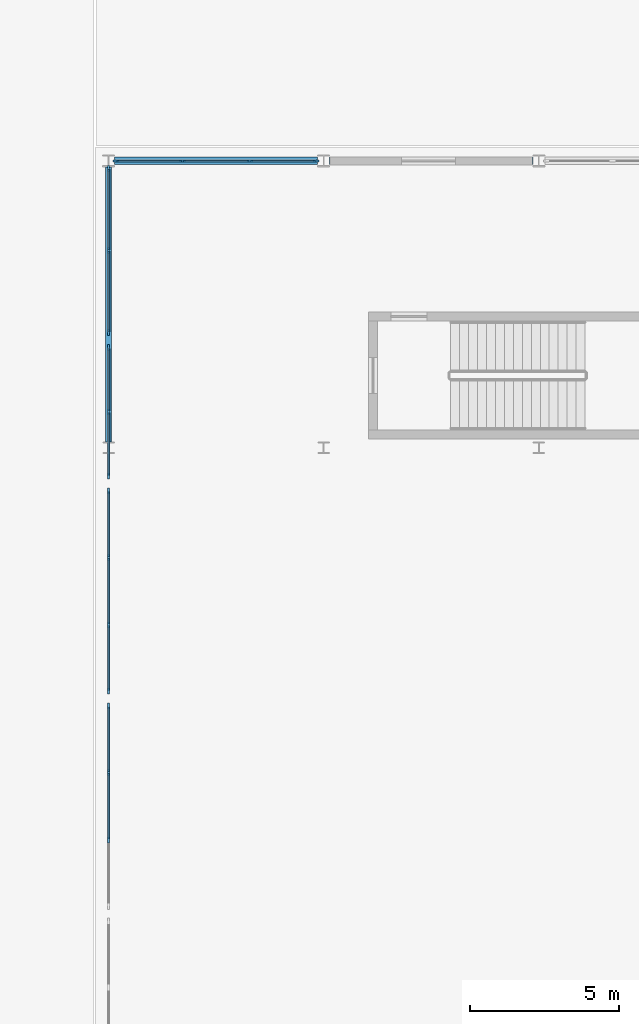
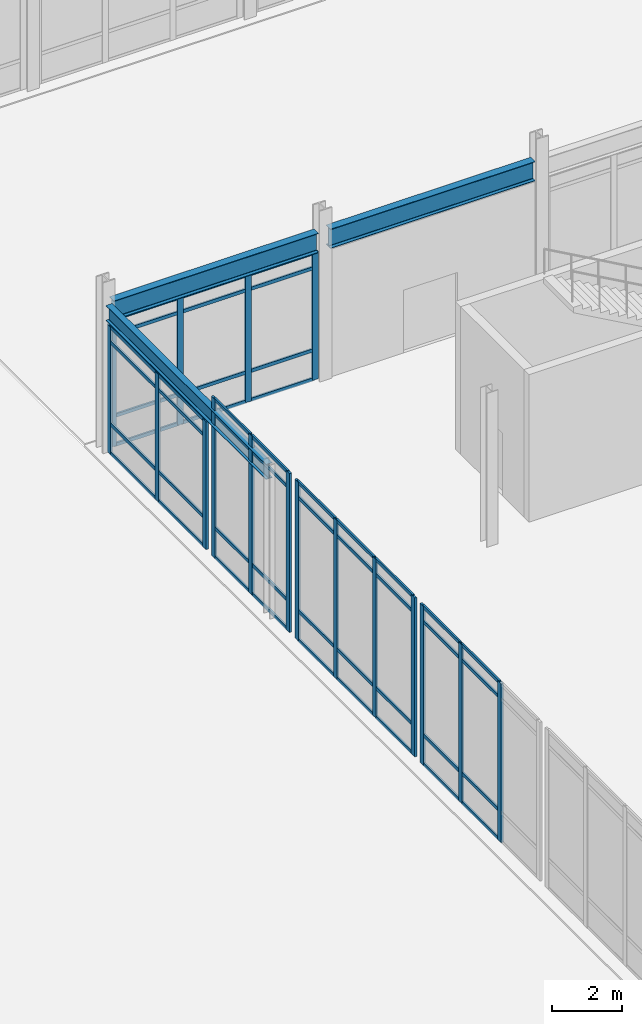
# One storey, part 22 of 104: 65 members, 3 beams, 5 elements without a shape of their own.
"""IFC4 building model written with IfcOpenShell, lengths in metres."""

from ifc_helpers import new_model, si_unit, direction, frame, origin, origin_2d, place, context, subcontext, project, spatial, rectangle, i_section, extrude, material, material_profile, profile_set, type_object, element, aggregate, save


model = new_model("IFC4")

# Units and contexts
model_context = context("Model", 3, precision=1e-05, world=origin(), true_north=direction((0.0, 1.0)))
body_context = subcontext(model_context, "Body", "Model", "MODEL_VIEW")
ifc_project = project(units=[si_unit("LENGTHUNIT", "METRE"), si_unit("AREAUNIT", "SQUARE_METRE"), si_unit("VOLUMEUNIT", "CUBIC_METRE"), si_unit("PLANEANGLEUNIT", "RADIAN"), si_unit("MASSUNIT", "GRAM", prefix="KILO")], contexts=[model_context])

# Site, building, storey
site_placement = place(None, origin())
site = spatial("IfcSite", under=ifc_project, at=site_placement, CompositionType="ELEMENT")
building_placement = place(site_placement, origin())
building = spatial("IfcBuilding", under=site, at=building_placement, Name="Vaelcorin Mobility Hub", CompositionType="ELEMENT")
storey_placement = place(building_placement, origin())
storey = spatial("IfcBuildingStorey", under=building, at=storey_placement, Name="L00", CompositionType="ELEMENT", Elevation=0.0)

# Beams
ifc_material_1 = material(Name="Steel ASTM A992 Grade 50", Category="steel")
ifc_material_profile_1 = material_profile(ifc_material_1, i_section(OverallWidth=0.2099609375, OverallDepth=0.535888671875, WebThickness=0.010986328125, FlangeThickness=0.017333984375, FilletRadius=0.013916015625, at=origin_2d()), Name="W21X68")
ifc_profile_set_1 = profile_set([ifc_material_profile_1], Name="Steel ASTM A992 Grade 50")
beam_type_1 = type_object("IfcBeamType", Name="BM-W21X68", PredefinedType="SPANDREL", material=ifc_profile_set_1)
beam_placement = place(storey_placement, frame((36.0, 50.583984375, 4.912109375), z_axis=(0.0, 1.0, 0.0), x_axis=(-1.0, 0.0, 0.0)))
element("IfcBeam", 1, at=beam_placement, inside=storey, type_object=beam_type_1, Name="L00 Beam V1-L00-GY-01-01", PredefinedType="SPANDREL", context=body_context, shape_type="SweptSolid", body=[
    extrude(i_section(OverallWidth=0.2099609375, OverallDepth=0.535888671875, WebThickness=0.010986328125, FlangeThickness=0.017333984375, FilletRadius=0.013916015625, at=origin_2d()), origin(), (0.0, 0.0, 1.0), 9.215087890625),
])
ifc_material_profile_2 = material_profile(ifc_material_1, i_section(OverallWidth=0.25390625, OverallDepth=0.68310546875, WebThickness=0.012451171875, FlangeThickness=0.018798828125, FilletRadius=0.01611328125, at=origin_2d()), Name="W27X94")
ifc_profile_set_2 = profile_set([ifc_material_profile_2], Name="Steel ASTM A992 Grade 50")
beam_type_2 = type_object("IfcBeamType", Name="BM-W27X94", PredefinedType="BEAM", material=ifc_profile_set_2)
for number, where, z_axis, x_axis, name in (
    (2, (36.199951171875, 60.0, 4.837890625), (1.0, 0.0, 0.0), (0.0, 1.0, 0.0), "L00 Beam V1-L00-GX-02-01"),
    (3, (43.39990234375, 60.0, 4.837890625), (1.0, 0.0, 0.0), (0.0, 1.0, 0.0), "L00 Beam V1-L00-GX-02-02"),
):
    element("IfcBeam", number, at=place(storey_placement, frame(where, z_axis=z_axis, x_axis=x_axis)), inside=storey, type_object=beam_type_2, Name=name, PredefinedType="BEAM", context=body_context, shape_type="SweptSolid", body=[
        extrude(i_section(OverallWidth=0.25390625, OverallDepth=0.68310546875, WebThickness=0.012451171875, FlangeThickness=0.018798828125, FilletRadius=0.01611328125, at=origin_2d()), origin(), (0.0, 0.0, 1.0), 6.800048828125),
    ])

# Curtain wall, members
ifc_material_2 = material(Name="Anodised aluminium 6063-T6", Category="aluminium")
curtain_wall_type_1 = type_object("IfcCurtainWallType", Name="CW-CONC-B", PredefinedType="NOTDEFINED", material=ifc_material_2)
curtain_wall_1_placement = place(storey_placement, origin())
curtain_wall_1 = element("IfcCurtainWall", 4, at=curtain_wall_1_placement, inside=storey, type_object=curtain_wall_type_1, Name="L00 Curtain Wall CW-V1-N-01", PredefinedType="NOTDEFINED")
ifc_material_profile_3 = material_profile(ifc_material_2, rectangle(XDim=0.070068359375, YDim=0.199951171875, at=origin_2d()), Name="ALU-M70X200")
ifc_profile_set_3 = profile_set([ifc_material_profile_3], Name="Anodised aluminium 6063-T6")
member_type_1 = type_object("IfcMemberType", Name="CW-MULL-200", PredefinedType="MULLION", material=ifc_profile_set_3)
member_1_placement = place(storey_placement, frame((36.25, 60.0, 0.0), z_axis=(0.0, 0.0, 1.0), x_axis=(0.0, 1.0, 0.0)))
member_1 = element("IfcMember", 5, at=member_1_placement, type_object=member_type_1, Name="CW2 mullion 1", PredefinedType="MULLION", context=body_context, shape_type="SweptSolid", body=[
    extrude(rectangle(XDim=0.070068359375, YDim=0.199951171875, at=origin_2d()), origin(), (0.0, 0.0, 1.0), 4.48193359375),
])
member_2_placement = place(storey_placement, frame((38.473388671875, 60.0, 0.0), z_axis=(0.0, 0.0, 1.0), x_axis=(0.0, 1.0, 0.0)))
member_2 = element("IfcMember", 6, at=member_2_placement, type_object=member_type_1, Name="CW2 mullion 2", PredefinedType="MULLION", context=body_context, shape_type="SweptSolid", body=[
    extrude(rectangle(XDim=0.070068359375, YDim=0.199951171875, at=origin_2d()), origin(), (0.0, 0.0, 1.0), 4.48193359375),
])
member_3_placement = place(storey_placement, frame((40.7265625, 60.0, 0.0), z_axis=(0.0, 0.0, 1.0), x_axis=(0.0, 1.0, 0.0)))
member_3 = element("IfcMember", 7, at=member_3_placement, type_object=member_type_1, Name="CW2 mullion 3", PredefinedType="MULLION", context=body_context, shape_type="SweptSolid", body=[
    extrude(rectangle(XDim=0.070068359375, YDim=0.199951171875, at=origin_2d()), origin(), (0.0, 0.0, 1.0), 4.48193359375),
])
member_4_placement = place(storey_placement, frame((42.949951171875, 60.0, 0.0), z_axis=(0.0, 0.0, 1.0), x_axis=(0.0, 1.0, 0.0)))
member_4 = element("IfcMember", 8, at=member_4_placement, type_object=member_type_1, Name="CW2 mullion 4", PredefinedType="MULLION", context=body_context, shape_type="SweptSolid", body=[
    extrude(rectangle(XDim=0.070068359375, YDim=0.199951171875, at=origin_2d()), origin(), (0.0, 0.0, 1.0), 4.48193359375),
])

curtain_wall_type_2 = type_object("IfcCurtainWallType", Name="CW-CONC-A", PredefinedType="NOTDEFINED", material=ifc_material_2)
curtain_wall_2_placement = place(storey_placement, origin())
curtain_wall_2 = element("IfcCurtainWall", 9, at=curtain_wall_2_placement, inside=storey, type_object=curtain_wall_type_2, Name="L00 Curtain Wall CW-V1-W-05", PredefinedType="NOTDEFINED")
member_5_placement = place(storey_placement, frame((36.0, 37.2734375, 0.0), z_axis=(0.0, 0.0, 1.0), x_axis=(-1.0, 0.0, 0.0)))
member_5 = element("IfcMember", 10, at=member_5_placement, type_object=member_type_1, Name="CW1 mullion 2", PredefinedType="MULLION", context=body_context, shape_type="SweptSolid", body=[
    extrude(rectangle(XDim=0.070068359375, YDim=0.199951171875, at=origin_2d()), origin(), (0.0, 0.0, 1.0), 5.580078125),
])
member_6_placement = place(storey_placement, frame((36.0, 39.526611328125, 0.0), z_axis=(0.0, 0.0, 1.0), x_axis=(-1.0, 0.0, 0.0)))
member_6 = element("IfcMember", 11, at=member_6_placement, type_object=member_type_1, Name="CW1 mullion 3", PredefinedType="MULLION", context=body_context, shape_type="SweptSolid", body=[
    extrude(rectangle(XDim=0.070068359375, YDim=0.199951171875, at=origin_2d()), origin(), (0.0, 0.0, 1.0), 5.580078125),
])
member_7_placement = place(storey_placement, frame((36.0, 41.75, 0.0), z_axis=(0.0, 0.0, 1.0), x_axis=(-1.0, 0.0, 0.0)))
member_7 = element("IfcMember", 12, at=member_7_placement, type_object=member_type_1, Name="CW1 mullion 4", PredefinedType="MULLION", context=body_context, shape_type="SweptSolid", body=[
    extrude(rectangle(XDim=0.070068359375, YDim=0.199951171875, at=origin_2d()), origin(), (0.0, 0.0, 1.0), 5.580078125),
])

curtain_wall_3_placement = place(storey_placement, origin())
curtain_wall_3 = element("IfcCurtainWall", 13, at=curtain_wall_3_placement, inside=storey, type_object=curtain_wall_type_2, Name="L00 Curtain Wall CW-V1-W-06", PredefinedType="NOTDEFINED")
member_8_placement = place(storey_placement, frame((36.0, 42.25, 0.0), z_axis=(0.0, 0.0, 1.0), x_axis=(-1.0, 0.0, 0.0)))
member_8 = element("IfcMember", 14, at=member_8_placement, type_object=member_type_1, Name="CW1 mullion 1", PredefinedType="MULLION", context=body_context, shape_type="SweptSolid", body=[
    extrude(rectangle(XDim=0.070068359375, YDim=0.199951171875, at=origin_2d()), origin(), (0.0, 0.0, 1.0), 5.580078125),
])
member_9_placement = place(storey_placement, frame((36.0, 44.473388671875, 0.0), z_axis=(0.0, 0.0, 1.0), x_axis=(-1.0, 0.0, 0.0)))
member_9 = element("IfcMember", 15, at=member_9_placement, type_object=member_type_1, Name="CW1 mullion 2", PredefinedType="MULLION", context=body_context, shape_type="SweptSolid", body=[
    extrude(rectangle(XDim=0.070068359375, YDim=0.199951171875, at=origin_2d()), origin(), (0.0, 0.0, 1.0), 5.580078125),
])
member_10_placement = place(storey_placement, frame((36.0, 46.7265625, 0.0), z_axis=(0.0, 0.0, 1.0), x_axis=(-1.0, 0.0, 0.0)))
member_10 = element("IfcMember", 16, at=member_10_placement, type_object=member_type_1, Name="CW1 mullion 3", PredefinedType="MULLION", context=body_context, shape_type="SweptSolid", body=[
    extrude(rectangle(XDim=0.070068359375, YDim=0.199951171875, at=origin_2d()), origin(), (0.0, 0.0, 1.0), 5.580078125),
])
member_11_placement = place(storey_placement, frame((36.0, 48.949951171875, 0.0), z_axis=(0.0, 0.0, 1.0), x_axis=(-1.0, 0.0, 0.0)))
member_11 = element("IfcMember", 17, at=member_11_placement, type_object=member_type_1, Name="CW1 mullion 4", PredefinedType="MULLION", context=body_context, shape_type="SweptSolid", body=[
    extrude(rectangle(XDim=0.070068359375, YDim=0.199951171875, at=origin_2d()), origin(), (0.0, 0.0, 1.0), 5.580078125),
])

curtain_wall_4_placement = place(storey_placement, origin())
curtain_wall_4 = element("IfcCurtainWall", 18, at=curtain_wall_4_placement, inside=storey, type_object=curtain_wall_type_2, Name="L00 Curtain Wall CW-V1-W-07", PredefinedType="NOTDEFINED")
member_12_placement = place(storey_placement, frame((36.0, 49.449951171875, 0.0), z_axis=(0.0, 0.0, 1.0), x_axis=(-1.0, 0.0, 0.0)))
member_12 = element("IfcMember", 19, at=member_12_placement, type_object=member_type_1, Name="CW1 mullion 1", PredefinedType="MULLION", context=body_context, shape_type="SweptSolid", body=[
    extrude(rectangle(XDim=0.070068359375, YDim=0.199951171875, at=origin_2d()), origin(), (0.0, 0.0, 1.0), 5.580078125),
])
member_13_placement = place(storey_placement, frame((36.0, 51.60009765625, 0.0), z_axis=(0.0, 0.0, 1.0), x_axis=(-1.0, 0.0, 0.0)))
member_13 = element("IfcMember", 20, at=member_13_placement, type_object=member_type_1, Name="CW1 mullion 2", PredefinedType="MULLION", context=body_context, shape_type="SweptSolid", body=[
    extrude(rectangle(XDim=0.070068359375, YDim=0.199951171875, at=origin_2d()), origin(), (0.0, 0.0, 1.0), 5.580078125),
])
member_14_placement = place(storey_placement, frame((36.0, 53.75, 0.0), z_axis=(0.0, 0.0, 1.0), x_axis=(-1.0, 0.0, 0.0)))
member_14 = element("IfcMember", 21, at=member_14_placement, type_object=member_type_1, Name="CW1 mullion 3", PredefinedType="MULLION", context=body_context, shape_type="SweptSolid", body=[
    extrude(rectangle(XDim=0.070068359375, YDim=0.199951171875, at=origin_2d()), origin(), (0.0, 0.0, 1.0), 5.580078125),
])

curtain_wall_5_placement = place(storey_placement, origin())
curtain_wall_5 = element("IfcCurtainWall", 22, at=curtain_wall_5_placement, inside=storey, type_object=curtain_wall_type_2, Name="L00 Curtain Wall CW-V1-W-08", PredefinedType="NOTDEFINED")
member_15_placement = place(storey_placement, frame((36.0, 54.25, 0.0), z_axis=(0.0, 0.0, 1.0), x_axis=(-1.0, 0.0, 0.0)))
member_15 = element("IfcMember", 23, at=member_15_placement, type_object=member_type_1, Name="CW1 mullion 1", PredefinedType="MULLION", context=body_context, shape_type="SweptSolid", body=[
    extrude(rectangle(XDim=0.070068359375, YDim=0.199951171875, at=origin_2d()), origin(), (0.0, 0.0, 1.0), 4.48193359375),
])
member_16_placement = place(storey_placement, frame((36.0, 57.0, 0.0), z_axis=(0.0, 0.0, 1.0), x_axis=(-1.0, 0.0, 0.0)))
member_16 = element("IfcMember", 24, at=member_16_placement, type_object=member_type_1, Name="CW1 mullion 2", PredefinedType="MULLION", context=body_context, shape_type="SweptSolid", body=[
    extrude(rectangle(XDim=0.070068359375, YDim=0.199951171875, at=origin_2d()), origin(), (0.0, 0.0, 1.0), 4.48193359375),
])
member_17_placement = place(storey_placement, frame((36.0, 59.75, 0.0), z_axis=(0.0, 0.0, 1.0), x_axis=(-1.0, 0.0, 0.0)))
member_17 = element("IfcMember", 25, at=member_17_placement, type_object=member_type_1, Name="CW1 mullion 3", PredefinedType="MULLION", context=body_context, shape_type="SweptSolid", body=[
    extrude(rectangle(XDim=0.070068359375, YDim=0.199951171875, at=origin_2d()), origin(), (0.0, 0.0, 1.0), 4.48193359375),
])

# Member
ifc_material_profile_4 = material_profile(ifc_material_2, rectangle(XDim=0.06005859375, YDim=0.1201171875, at=origin_2d()), Name="ALU-T60X120")
ifc_profile_set_4 = profile_set([ifc_material_profile_4], Name="Anodised aluminium 6063-T6")
member_type_2 = type_object("IfcMemberType", Name="CW-TRAN-140", PredefinedType="USERDEFINED", material=ifc_profile_set_4)
member_18_placement = place(storey_placement, frame((36.280029296875, 60.0, 0.030029296875), z_axis=(1.0, 0.0, 0.0), x_axis=(0.0, 1.0, 0.0)))
member_18 = element("IfcMember", 26, at=member_18_placement, type_object=member_type_2, Name="CW2 transom 1.1", ObjectType="TRANSOM", PredefinedType="USERDEFINED", context=body_context, shape_type="SweptSolid", body=[
    extrude(rectangle(XDim=0.06005859375, YDim=0.1201171875, at=origin_2d()), origin(), (0.0, 0.0, 1.0), 2.163330078125),
])

member_19_placement = place(storey_placement, frame((36.280029296875, 60.0, 1.050048828125), z_axis=(1.0, 0.0, 0.0), x_axis=(0.0, 1.0, 0.0)))
member_19 = element("IfcMember", 27, at=member_19_placement, type_object=member_type_2, Name="CW2 transom 1.2", ObjectType="TRANSOM", PredefinedType="USERDEFINED", context=body_context, shape_type="SweptSolid", body=[
    extrude(rectangle(XDim=0.06005859375, YDim=0.1201171875, at=origin_2d()), origin(), (0.0, 0.0, 1.0), 2.163330078125),
])

member_20_placement = place(storey_placement, frame((36.280029296875, 60.0, 3.931884765625), z_axis=(1.0, 0.0, 0.0), x_axis=(0.0, 1.0, 0.0)))
member_20 = element("IfcMember", 28, at=member_20_placement, type_object=member_type_2, Name="CW2 transom 1.3", ObjectType="TRANSOM", PredefinedType="USERDEFINED", context=body_context, shape_type="SweptSolid", body=[
    extrude(rectangle(XDim=0.06005859375, YDim=0.1201171875, at=origin_2d()), origin(), (0.0, 0.0, 1.0), 2.163330078125),
])

member_21_placement = place(storey_placement, frame((36.280029296875, 60.0, 4.451904296875), z_axis=(1.0, 0.0, 0.0), x_axis=(0.0, 1.0, 0.0)))
member_21 = element("IfcMember", 29, at=member_21_placement, type_object=member_type_2, Name="CW2 transom 1.4", ObjectType="TRANSOM", PredefinedType="USERDEFINED", context=body_context, shape_type="SweptSolid", body=[
    extrude(rectangle(XDim=0.06005859375, YDim=0.1201171875, at=origin_2d()), origin(), (0.0, 0.0, 1.0), 2.163330078125),
])

member_22_placement = place(storey_placement, frame((38.50341796875, 60.0, 0.030029296875), z_axis=(1.0, 0.0, 0.0), x_axis=(0.0, 1.0, 0.0)))
member_22 = element("IfcMember", 30, at=member_22_placement, type_object=member_type_2, Name="CW2 transom 2.1", ObjectType="TRANSOM", PredefinedType="USERDEFINED", context=body_context, shape_type="SweptSolid", body=[
    extrude(rectangle(XDim=0.06005859375, YDim=0.1201171875, at=origin_2d()), origin(), (0.0, 0.0, 1.0), 2.193359375),
])

member_23_placement = place(storey_placement, frame((38.50341796875, 60.0, 1.050048828125), z_axis=(1.0, 0.0, 0.0), x_axis=(0.0, 1.0, 0.0)))
member_23 = element("IfcMember", 31, at=member_23_placement, type_object=member_type_2, Name="CW2 transom 2.2", ObjectType="TRANSOM", PredefinedType="USERDEFINED", context=body_context, shape_type="SweptSolid", body=[
    extrude(rectangle(XDim=0.06005859375, YDim=0.1201171875, at=origin_2d()), origin(), (0.0, 0.0, 1.0), 2.193359375),
])

member_24_placement = place(storey_placement, frame((38.50341796875, 60.0, 3.931884765625), z_axis=(1.0, 0.0, 0.0), x_axis=(0.0, 1.0, 0.0)))
member_24 = element("IfcMember", 32, at=member_24_placement, type_object=member_type_2, Name="CW2 transom 2.3", ObjectType="TRANSOM", PredefinedType="USERDEFINED", context=body_context, shape_type="SweptSolid", body=[
    extrude(rectangle(XDim=0.06005859375, YDim=0.1201171875, at=origin_2d()), origin(), (0.0, 0.0, 1.0), 2.193359375),
])

member_25_placement = place(storey_placement, frame((38.50341796875, 60.0, 4.451904296875), z_axis=(1.0, 0.0, 0.0), x_axis=(0.0, 1.0, 0.0)))
member_25 = element("IfcMember", 33, at=member_25_placement, type_object=member_type_2, Name="CW2 transom 2.4", ObjectType="TRANSOM", PredefinedType="USERDEFINED", context=body_context, shape_type="SweptSolid", body=[
    extrude(rectangle(XDim=0.06005859375, YDim=0.1201171875, at=origin_2d()), origin(), (0.0, 0.0, 1.0), 2.193359375),
])

member_26_placement = place(storey_placement, frame((40.756591796875, 60.0, 0.030029296875), z_axis=(1.0, 0.0, 0.0), x_axis=(0.0, 1.0, 0.0)))
member_26 = element("IfcMember", 34, at=member_26_placement, type_object=member_type_2, Name="CW2 transom 3.1", ObjectType="TRANSOM", PredefinedType="USERDEFINED", context=body_context, shape_type="SweptSolid", body=[
    extrude(rectangle(XDim=0.06005859375, YDim=0.1201171875, at=origin_2d()), origin(), (0.0, 0.0, 1.0), 2.163330078125),
])

member_27_placement = place(storey_placement, frame((40.756591796875, 60.0, 1.050048828125), z_axis=(1.0, 0.0, 0.0), x_axis=(0.0, 1.0, 0.0)))
member_27 = element("IfcMember", 35, at=member_27_placement, type_object=member_type_2, Name="CW2 transom 3.2", ObjectType="TRANSOM", PredefinedType="USERDEFINED", context=body_context, shape_type="SweptSolid", body=[
    extrude(rectangle(XDim=0.06005859375, YDim=0.1201171875, at=origin_2d()), origin(), (0.0, 0.0, 1.0), 2.163330078125),
])

member_28_placement = place(storey_placement, frame((40.756591796875, 60.0, 3.931884765625), z_axis=(1.0, 0.0, 0.0), x_axis=(0.0, 1.0, 0.0)))
member_28 = element("IfcMember", 36, at=member_28_placement, type_object=member_type_2, Name="CW2 transom 3.3", ObjectType="TRANSOM", PredefinedType="USERDEFINED", context=body_context, shape_type="SweptSolid", body=[
    extrude(rectangle(XDim=0.06005859375, YDim=0.1201171875, at=origin_2d()), origin(), (0.0, 0.0, 1.0), 2.163330078125),
])

member_29_placement = place(storey_placement, frame((40.756591796875, 60.0, 4.451904296875), z_axis=(1.0, 0.0, 0.0), x_axis=(0.0, 1.0, 0.0)))
member_29 = element("IfcMember", 37, at=member_29_placement, type_object=member_type_2, Name="CW2 transom 3.4", ObjectType="TRANSOM", PredefinedType="USERDEFINED", context=body_context, shape_type="SweptSolid", body=[
    extrude(rectangle(XDim=0.06005859375, YDim=0.1201171875, at=origin_2d()), origin(), (0.0, 0.0, 1.0), 2.163330078125),
])

aggregate(curtain_wall_1, [member_1, member_2, member_3, member_4, member_18, member_19, member_20, member_21, member_22, member_23, member_24, member_25, member_26, member_27, member_28, member_29])

member_30_placement = place(storey_placement, frame((36.0, 37.30322265625, 0.030029296875), z_axis=(0.0, 1.0, 0.0), x_axis=(-1.0, 0.0, 0.0)))
member_30 = element("IfcMember", 38, at=member_30_placement, type_object=member_type_2, Name="CW1 transom 2.1", ObjectType="TRANSOM", PredefinedType="USERDEFINED", context=body_context, shape_type="SweptSolid", body=[
    extrude(rectangle(XDim=0.06005859375, YDim=0.1201171875, at=origin_2d()), origin(), (0.0, 0.0, 1.0), 2.193359375),
])

member_31_placement = place(storey_placement, frame((36.0, 37.30322265625, 1.050048828125), z_axis=(0.0, 1.0, 0.0), x_axis=(-1.0, 0.0, 0.0)))
member_31 = element("IfcMember", 39, at=member_31_placement, type_object=member_type_2, Name="CW1 transom 2.2", ObjectType="TRANSOM", PredefinedType="USERDEFINED", context=body_context, shape_type="SweptSolid", body=[
    extrude(rectangle(XDim=0.06005859375, YDim=0.1201171875, at=origin_2d()), origin(), (0.0, 0.0, 1.0), 2.193359375),
])

member_32_placement = place(storey_placement, frame((36.0, 37.30322265625, 5.030029296875), z_axis=(0.0, 1.0, 0.0), x_axis=(-1.0, 0.0, 0.0)))
member_32 = element("IfcMember", 40, at=member_32_placement, type_object=member_type_2, Name="CW1 transom 2.3", ObjectType="TRANSOM", PredefinedType="USERDEFINED", context=body_context, shape_type="SweptSolid", body=[
    extrude(rectangle(XDim=0.06005859375, YDim=0.1201171875, at=origin_2d()), origin(), (0.0, 0.0, 1.0), 2.193359375),
])

member_33_placement = place(storey_placement, frame((36.0, 37.30322265625, 5.550048828125), z_axis=(0.0, 1.0, 0.0), x_axis=(-1.0, 0.0, 0.0)))
member_33 = element("IfcMember", 41, at=member_33_placement, type_object=member_type_2, Name="CW1 transom 2.4", ObjectType="TRANSOM", PredefinedType="USERDEFINED", context=body_context, shape_type="SweptSolid", body=[
    extrude(rectangle(XDim=0.06005859375, YDim=0.1201171875, at=origin_2d()), origin(), (0.0, 0.0, 1.0), 2.193359375),
])

member_34_placement = place(storey_placement, frame((36.0, 39.556640625, 0.030029296875), z_axis=(0.0, 1.0, 0.0), x_axis=(-1.0, 0.0, 0.0)))
member_34 = element("IfcMember", 42, at=member_34_placement, type_object=member_type_2, Name="CW1 transom 3.1", ObjectType="TRANSOM", PredefinedType="USERDEFINED", context=body_context, shape_type="SweptSolid", body=[
    extrude(rectangle(XDim=0.06005859375, YDim=0.1201171875, at=origin_2d()), origin(), (0.0, 0.0, 1.0), 2.163330078125),
])

member_35_placement = place(storey_placement, frame((36.0, 39.556640625, 1.050048828125), z_axis=(0.0, 1.0, 0.0), x_axis=(-1.0, 0.0, 0.0)))
member_35 = element("IfcMember", 43, at=member_35_placement, type_object=member_type_2, Name="CW1 transom 3.2", ObjectType="TRANSOM", PredefinedType="USERDEFINED", context=body_context, shape_type="SweptSolid", body=[
    extrude(rectangle(XDim=0.06005859375, YDim=0.1201171875, at=origin_2d()), origin(), (0.0, 0.0, 1.0), 2.163330078125),
])

member_36_placement = place(storey_placement, frame((36.0, 39.556640625, 5.030029296875), z_axis=(0.0, 1.0, 0.0), x_axis=(-1.0, 0.0, 0.0)))
member_36 = element("IfcMember", 44, at=member_36_placement, type_object=member_type_2, Name="CW1 transom 3.3", ObjectType="TRANSOM", PredefinedType="USERDEFINED", context=body_context, shape_type="SweptSolid", body=[
    extrude(rectangle(XDim=0.06005859375, YDim=0.1201171875, at=origin_2d()), origin(), (0.0, 0.0, 1.0), 2.163330078125),
])

member_37_placement = place(storey_placement, frame((36.0, 39.556640625, 5.550048828125), z_axis=(0.0, 1.0, 0.0), x_axis=(-1.0, 0.0, 0.0)))
member_37 = element("IfcMember", 45, at=member_37_placement, type_object=member_type_2, Name="CW1 transom 3.4", ObjectType="TRANSOM", PredefinedType="USERDEFINED", context=body_context, shape_type="SweptSolid", body=[
    extrude(rectangle(XDim=0.06005859375, YDim=0.1201171875, at=origin_2d()), origin(), (0.0, 0.0, 1.0), 2.163330078125),
])

aggregate(curtain_wall_2, [member_5, member_6, member_7, member_30, member_31, member_32, member_33, member_34, member_35, member_36, member_37])

member_38_placement = place(storey_placement, frame((36.0, 42.280029296875, 0.030029296875), z_axis=(0.0, 1.0, 0.0), x_axis=(-1.0, 0.0, 0.0)))
member_38 = element("IfcMember", 46, at=member_38_placement, type_object=member_type_2, Name="CW1 transom 1.1", ObjectType="TRANSOM", PredefinedType="USERDEFINED", context=body_context, shape_type="SweptSolid", body=[
    extrude(rectangle(XDim=0.06005859375, YDim=0.1201171875, at=origin_2d()), origin(), (0.0, 0.0, 1.0), 2.163330078125),
])

member_39_placement = place(storey_placement, frame((36.0, 42.280029296875, 1.050048828125), z_axis=(0.0, 1.0, 0.0), x_axis=(-1.0, 0.0, 0.0)))
member_39 = element("IfcMember", 47, at=member_39_placement, type_object=member_type_2, Name="CW1 transom 1.2", ObjectType="TRANSOM", PredefinedType="USERDEFINED", context=body_context, shape_type="SweptSolid", body=[
    extrude(rectangle(XDim=0.06005859375, YDim=0.1201171875, at=origin_2d()), origin(), (0.0, 0.0, 1.0), 2.163330078125),
])

member_40_placement = place(storey_placement, frame((36.0, 42.280029296875, 5.030029296875), z_axis=(0.0, 1.0, 0.0), x_axis=(-1.0, 0.0, 0.0)))
member_40 = element("IfcMember", 48, at=member_40_placement, type_object=member_type_2, Name="CW1 transom 1.3", ObjectType="TRANSOM", PredefinedType="USERDEFINED", context=body_context, shape_type="SweptSolid", body=[
    extrude(rectangle(XDim=0.06005859375, YDim=0.1201171875, at=origin_2d()), origin(), (0.0, 0.0, 1.0), 2.163330078125),
])

member_41_placement = place(storey_placement, frame((36.0, 42.280029296875, 5.550048828125), z_axis=(0.0, 1.0, 0.0), x_axis=(-1.0, 0.0, 0.0)))
member_41 = element("IfcMember", 49, at=member_41_placement, type_object=member_type_2, Name="CW1 transom 1.4", ObjectType="TRANSOM", PredefinedType="USERDEFINED", context=body_context, shape_type="SweptSolid", body=[
    extrude(rectangle(XDim=0.06005859375, YDim=0.1201171875, at=origin_2d()), origin(), (0.0, 0.0, 1.0), 2.163330078125),
])

member_42_placement = place(storey_placement, frame((36.0, 44.50341796875, 0.030029296875), z_axis=(0.0, 1.0, 0.0), x_axis=(-1.0, 0.0, 0.0)))
member_42 = element("IfcMember", 50, at=member_42_placement, type_object=member_type_2, Name="CW1 transom 2.1", ObjectType="TRANSOM", PredefinedType="USERDEFINED", context=body_context, shape_type="SweptSolid", body=[
    extrude(rectangle(XDim=0.06005859375, YDim=0.1201171875, at=origin_2d()), origin(), (0.0, 0.0, 1.0), 2.193359375),
])

member_43_placement = place(storey_placement, frame((36.0, 44.50341796875, 1.050048828125), z_axis=(0.0, 1.0, 0.0), x_axis=(-1.0, 0.0, 0.0)))
member_43 = element("IfcMember", 51, at=member_43_placement, type_object=member_type_2, Name="CW1 transom 2.2", ObjectType="TRANSOM", PredefinedType="USERDEFINED", context=body_context, shape_type="SweptSolid", body=[
    extrude(rectangle(XDim=0.06005859375, YDim=0.1201171875, at=origin_2d()), origin(), (0.0, 0.0, 1.0), 2.193359375),
])

member_44_placement = place(storey_placement, frame((36.0, 44.50341796875, 5.030029296875), z_axis=(0.0, 1.0, 0.0), x_axis=(-1.0, 0.0, 0.0)))
member_44 = element("IfcMember", 52, at=member_44_placement, type_object=member_type_2, Name="CW1 transom 2.3", ObjectType="TRANSOM", PredefinedType="USERDEFINED", context=body_context, shape_type="SweptSolid", body=[
    extrude(rectangle(XDim=0.06005859375, YDim=0.1201171875, at=origin_2d()), origin(), (0.0, 0.0, 1.0), 2.193359375),
])

member_45_placement = place(storey_placement, frame((36.0, 44.50341796875, 5.550048828125), z_axis=(0.0, 1.0, 0.0), x_axis=(-1.0, 0.0, 0.0)))
member_45 = element("IfcMember", 53, at=member_45_placement, type_object=member_type_2, Name="CW1 transom 2.4", ObjectType="TRANSOM", PredefinedType="USERDEFINED", context=body_context, shape_type="SweptSolid", body=[
    extrude(rectangle(XDim=0.06005859375, YDim=0.1201171875, at=origin_2d()), origin(), (0.0, 0.0, 1.0), 2.193359375),
])

member_46_placement = place(storey_placement, frame((36.0, 46.756591796875, 0.030029296875), z_axis=(0.0, 1.0, 0.0), x_axis=(-1.0, 0.0, 0.0)))
member_46 = element("IfcMember", 54, at=member_46_placement, type_object=member_type_2, Name="CW1 transom 3.1", ObjectType="TRANSOM", PredefinedType="USERDEFINED", context=body_context, shape_type="SweptSolid", body=[
    extrude(rectangle(XDim=0.06005859375, YDim=0.1201171875, at=origin_2d()), origin(), (0.0, 0.0, 1.0), 2.163330078125),
])

member_47_placement = place(storey_placement, frame((36.0, 46.756591796875, 1.050048828125), z_axis=(0.0, 1.0, 0.0), x_axis=(-1.0, 0.0, 0.0)))
member_47 = element("IfcMember", 55, at=member_47_placement, type_object=member_type_2, Name="CW1 transom 3.2", ObjectType="TRANSOM", PredefinedType="USERDEFINED", context=body_context, shape_type="SweptSolid", body=[
    extrude(rectangle(XDim=0.06005859375, YDim=0.1201171875, at=origin_2d()), origin(), (0.0, 0.0, 1.0), 2.163330078125),
])

member_48_placement = place(storey_placement, frame((36.0, 46.756591796875, 5.030029296875), z_axis=(0.0, 1.0, 0.0), x_axis=(-1.0, 0.0, 0.0)))
member_48 = element("IfcMember", 56, at=member_48_placement, type_object=member_type_2, Name="CW1 transom 3.3", ObjectType="TRANSOM", PredefinedType="USERDEFINED", context=body_context, shape_type="SweptSolid", body=[
    extrude(rectangle(XDim=0.06005859375, YDim=0.1201171875, at=origin_2d()), origin(), (0.0, 0.0, 1.0), 2.163330078125),
])

member_49_placement = place(storey_placement, frame((36.0, 46.756591796875, 5.550048828125), z_axis=(0.0, 1.0, 0.0), x_axis=(-1.0, 0.0, 0.0)))
member_49 = element("IfcMember", 57, at=member_49_placement, type_object=member_type_2, Name="CW1 transom 3.4", ObjectType="TRANSOM", PredefinedType="USERDEFINED", context=body_context, shape_type="SweptSolid", body=[
    extrude(rectangle(XDim=0.06005859375, YDim=0.1201171875, at=origin_2d()), origin(), (0.0, 0.0, 1.0), 2.163330078125),
])

aggregate(curtain_wall_3, [member_8, member_9, member_10, member_11, member_38, member_39, member_40, member_41, member_42, member_43, member_44, member_45, member_46, member_47, member_48, member_49])

member_50_placement = place(storey_placement, frame((36.0, 49.47998046875, 0.030029296875), z_axis=(0.0, 1.0, 0.0), x_axis=(-1.0, 0.0, 0.0)))
member_50 = element("IfcMember", 58, at=member_50_placement, type_object=member_type_2, Name="CW1 transom 1.1", ObjectType="TRANSOM", PredefinedType="USERDEFINED", context=body_context, shape_type="SweptSolid", body=[
    extrude(rectangle(XDim=0.06005859375, YDim=0.1201171875, at=origin_2d()), origin(), (0.0, 0.0, 1.0), 2.090087890625),
])

member_51_placement = place(storey_placement, frame((36.0, 49.47998046875, 1.050048828125), z_axis=(0.0, 1.0, 0.0), x_axis=(-1.0, 0.0, 0.0)))
member_51 = element("IfcMember", 59, at=member_51_placement, type_object=member_type_2, Name="CW1 transom 1.2", ObjectType="TRANSOM", PredefinedType="USERDEFINED", context=body_context, shape_type="SweptSolid", body=[
    extrude(rectangle(XDim=0.06005859375, YDim=0.1201171875, at=origin_2d()), origin(), (0.0, 0.0, 1.0), 2.090087890625),
])

member_52_placement = place(storey_placement, frame((36.0, 49.47998046875, 5.030029296875), z_axis=(0.0, 1.0, 0.0), x_axis=(-1.0, 0.0, 0.0)))
member_52 = element("IfcMember", 60, at=member_52_placement, type_object=member_type_2, Name="CW1 transom 1.3", ObjectType="TRANSOM", PredefinedType="USERDEFINED", context=body_context, shape_type="SweptSolid", body=[
    extrude(rectangle(XDim=0.06005859375, YDim=0.1201171875, at=origin_2d()), origin(), (0.0, 0.0, 1.0), 2.090087890625),
])

member_53_placement = place(storey_placement, frame((36.0, 49.47998046875, 5.550048828125), z_axis=(0.0, 1.0, 0.0), x_axis=(-1.0, 0.0, 0.0)))
member_53 = element("IfcMember", 61, at=member_53_placement, type_object=member_type_2, Name="CW1 transom 1.4", ObjectType="TRANSOM", PredefinedType="USERDEFINED", context=body_context, shape_type="SweptSolid", body=[
    extrude(rectangle(XDim=0.06005859375, YDim=0.1201171875, at=origin_2d()), origin(), (0.0, 0.0, 1.0), 2.090087890625),
])

member_54_placement = place(storey_placement, frame((36.0, 51.6298828125, 0.030029296875), z_axis=(0.0, 1.0, 0.0), x_axis=(-1.0, 0.0, 0.0)))
member_54 = element("IfcMember", 62, at=member_54_placement, type_object=member_type_2, Name="CW1 transom 2.1", ObjectType="TRANSOM", PredefinedType="USERDEFINED", context=body_context, shape_type="SweptSolid", body=[
    extrude(rectangle(XDim=0.06005859375, YDim=0.1201171875, at=origin_2d()), origin(), (0.0, 0.0, 1.0), 2.090087890625),
])

member_55_placement = place(storey_placement, frame((36.0, 51.6298828125, 1.050048828125), z_axis=(0.0, 1.0, 0.0), x_axis=(-1.0, 0.0, 0.0)))
member_55 = element("IfcMember", 63, at=member_55_placement, type_object=member_type_2, Name="CW1 transom 2.2", ObjectType="TRANSOM", PredefinedType="USERDEFINED", context=body_context, shape_type="SweptSolid", body=[
    extrude(rectangle(XDim=0.06005859375, YDim=0.1201171875, at=origin_2d()), origin(), (0.0, 0.0, 1.0), 2.090087890625),
])

member_56_placement = place(storey_placement, frame((36.0, 51.6298828125, 5.030029296875), z_axis=(0.0, 1.0, 0.0), x_axis=(-1.0, 0.0, 0.0)))
member_56 = element("IfcMember", 64, at=member_56_placement, type_object=member_type_2, Name="CW1 transom 2.3", ObjectType="TRANSOM", PredefinedType="USERDEFINED", context=body_context, shape_type="SweptSolid", body=[
    extrude(rectangle(XDim=0.06005859375, YDim=0.1201171875, at=origin_2d()), origin(), (0.0, 0.0, 1.0), 2.090087890625),
])

member_57_placement = place(storey_placement, frame((36.0, 51.6298828125, 5.550048828125), z_axis=(0.0, 1.0, 0.0), x_axis=(-1.0, 0.0, 0.0)))
member_57 = element("IfcMember", 65, at=member_57_placement, type_object=member_type_2, Name="CW1 transom 2.4", ObjectType="TRANSOM", PredefinedType="USERDEFINED", context=body_context, shape_type="SweptSolid", body=[
    extrude(rectangle(XDim=0.06005859375, YDim=0.1201171875, at=origin_2d()), origin(), (0.0, 0.0, 1.0), 2.090087890625),
])

aggregate(curtain_wall_4, [member_12, member_13, member_14, member_50, member_51, member_52, member_53, member_54, member_55, member_56, member_57])

member_58_placement = place(storey_placement, frame((36.0, 54.280029296875, 0.030029296875), z_axis=(0.0, 1.0, 0.0), x_axis=(-1.0, 0.0, 0.0)))
member_58 = element("IfcMember", 66, at=member_58_placement, type_object=member_type_2, Name="CW1 transom 1.1", ObjectType="TRANSOM", PredefinedType="USERDEFINED", context=body_context, shape_type="SweptSolid", body=[
    extrude(rectangle(XDim=0.06005859375, YDim=0.1201171875, at=origin_2d()), origin(), (0.0, 0.0, 1.0), 2.68994140625),
])

member_59_placement = place(storey_placement, frame((36.0, 54.280029296875, 1.050048828125), z_axis=(0.0, 1.0, 0.0), x_axis=(-1.0, 0.0, 0.0)))
member_59 = element("IfcMember", 67, at=member_59_placement, type_object=member_type_2, Name="CW1 transom 1.2", ObjectType="TRANSOM", PredefinedType="USERDEFINED", context=body_context, shape_type="SweptSolid", body=[
    extrude(rectangle(XDim=0.06005859375, YDim=0.1201171875, at=origin_2d()), origin(), (0.0, 0.0, 1.0), 2.68994140625),
])

member_60_placement = place(storey_placement, frame((36.0, 54.280029296875, 3.931884765625), z_axis=(0.0, 1.0, 0.0), x_axis=(-1.0, 0.0, 0.0)))
member_60 = element("IfcMember", 68, at=member_60_placement, type_object=member_type_2, Name="CW1 transom 1.3", ObjectType="TRANSOM", PredefinedType="USERDEFINED", context=body_context, shape_type="SweptSolid", body=[
    extrude(rectangle(XDim=0.06005859375, YDim=0.1201171875, at=origin_2d()), origin(), (0.0, 0.0, 1.0), 2.68994140625),
])

member_61_placement = place(storey_placement, frame((36.0, 54.280029296875, 4.451904296875), z_axis=(0.0, 1.0, 0.0), x_axis=(-1.0, 0.0, 0.0)))
member_61 = element("IfcMember", 69, at=member_61_placement, type_object=member_type_2, Name="CW1 transom 1.4", ObjectType="TRANSOM", PredefinedType="USERDEFINED", context=body_context, shape_type="SweptSolid", body=[
    extrude(rectangle(XDim=0.06005859375, YDim=0.1201171875, at=origin_2d()), origin(), (0.0, 0.0, 1.0), 2.68994140625),
])

member_62_placement = place(storey_placement, frame((36.0, 57.030029296875, 0.030029296875), z_axis=(0.0, 1.0, 0.0), x_axis=(-1.0, 0.0, 0.0)))
member_62 = element("IfcMember", 70, at=member_62_placement, type_object=member_type_2, Name="CW1 transom 2.1", ObjectType="TRANSOM", PredefinedType="USERDEFINED", context=body_context, shape_type="SweptSolid", body=[
    extrude(rectangle(XDim=0.06005859375, YDim=0.1201171875, at=origin_2d()), origin(), (0.0, 0.0, 1.0), 2.68994140625),
])

member_63_placement = place(storey_placement, frame((36.0, 57.030029296875, 1.050048828125), z_axis=(0.0, 1.0, 0.0), x_axis=(-1.0, 0.0, 0.0)))
member_63 = element("IfcMember", 71, at=member_63_placement, type_object=member_type_2, Name="CW1 transom 2.2", ObjectType="TRANSOM", PredefinedType="USERDEFINED", context=body_context, shape_type="SweptSolid", body=[
    extrude(rectangle(XDim=0.06005859375, YDim=0.1201171875, at=origin_2d()), origin(), (0.0, 0.0, 1.0), 2.68994140625),
])

member_64_placement = place(storey_placement, frame((36.0, 57.030029296875, 3.931884765625), z_axis=(0.0, 1.0, 0.0), x_axis=(-1.0, 0.0, 0.0)))
member_64 = element("IfcMember", 72, at=member_64_placement, type_object=member_type_2, Name="CW1 transom 2.3", ObjectType="TRANSOM", PredefinedType="USERDEFINED", context=body_context, shape_type="SweptSolid", body=[
    extrude(rectangle(XDim=0.06005859375, YDim=0.1201171875, at=origin_2d()), origin(), (0.0, 0.0, 1.0), 2.68994140625),
])

member_65_placement = place(storey_placement, frame((36.0, 57.030029296875, 4.451904296875), z_axis=(0.0, 1.0, 0.0), x_axis=(-1.0, 0.0, 0.0)))
member_65 = element("IfcMember", 73, at=member_65_placement, type_object=member_type_2, Name="CW1 transom 2.4", ObjectType="TRANSOM", PredefinedType="USERDEFINED", context=body_context, shape_type="SweptSolid", body=[
    extrude(rectangle(XDim=0.06005859375, YDim=0.1201171875, at=origin_2d()), origin(), (0.0, 0.0, 1.0), 2.68994140625),
])

aggregate(curtain_wall_5, [member_15, member_16, member_17, member_58, member_59, member_60, member_61, member_62, member_63, member_64, member_65])

save(model, "model.ifc")
